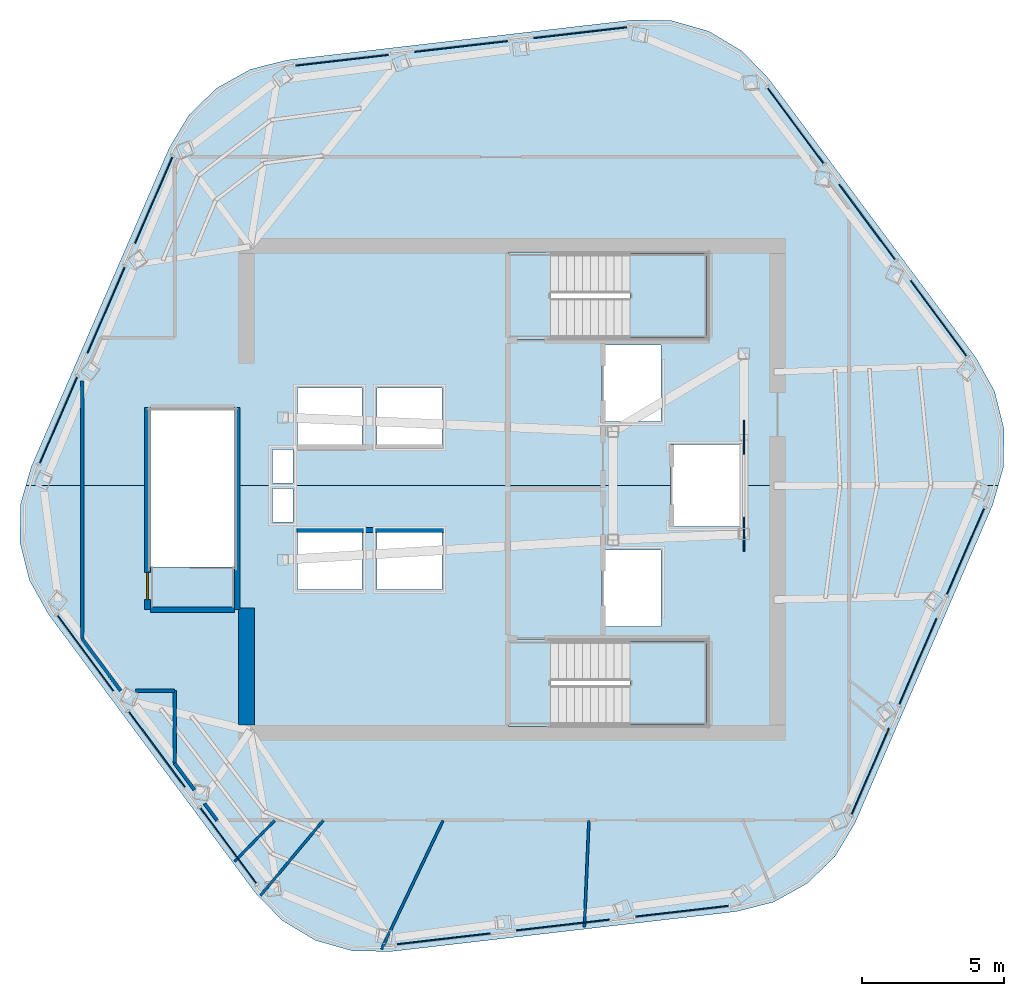
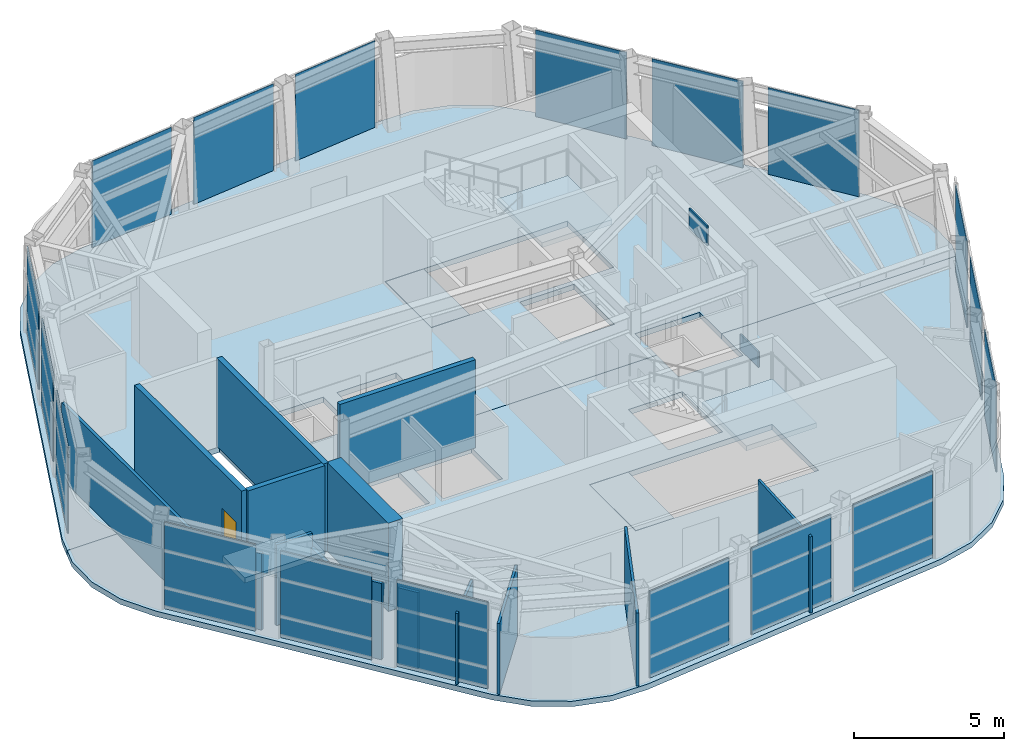
# One storey, part 5 of 11: 20 plates, 15 walls, 7 slabs, 1 door, 1 opening, 8 elements without a shape of their own.
"""IFC4 building model written with IfcOpenShell, lengths in metres."""

from ifc_helpers import new_model, si_unit, direction, frame, frame_2d, origin, origin_2d, place, context, subcontext, project, spatial, polyline, rectangle, outline, extrude, material, layer, layer_set, type_object, element, fill, aggregate, save


model = new_model("IFC4")

# Units and contexts
model_context = context("Model", 3, precision=1e-05, world=origin(), true_north=direction((0.0, 1.0)))
body_context = subcontext(model_context, "Body", "Model", "MODEL_VIEW")
ifc_project = project(units=[si_unit("LENGTHUNIT", "METRE"), si_unit("AREAUNIT", "SQUARE_METRE"), si_unit("VOLUMEUNIT", "CUBIC_METRE"), si_unit("PLANEANGLEUNIT", "RADIAN"), si_unit("MASSUNIT", "GRAM", prefix="KILO")], contexts=[model_context])

# Site, building, storey
site_placement = place(None, origin())
site = spatial("IfcSite", under=ifc_project, at=site_placement, CompositionType="ELEMENT")
building_placement = place(site_placement, origin())
building = spatial("IfcBuilding", under=site, at=building_placement, Name="Valkerne Bourse Tower", CompositionType="ELEMENT")
storey_placement = place(building_placement, frame((0.0, 0.0, 311.60009765625)))
storey = spatial("IfcBuildingStorey", under=building, at=storey_placement, Name="L79", CompositionType="ELEMENT", Elevation=311.60009765625)

# Curtain wall, plates
ifc_material_1 = material(Name="Aluminium AA 6063-T6", Category="aluminium")
ifc_layer_1 = layer(ifc_material_1, 0.25)
ifc_layer_set_1 = layer_set([ifc_layer_1], Name="Aluminium AA 6063-T6")
curtain_wall_type = type_object("IfcCurtainWallType", Name="CW-06", PredefinedType="NOTDEFINED", material=ifc_layer_set_1)
curtain_wall_1_placement = place(storey_placement, origin())
curtain_wall_1 = element("IfcCurtainWall", 1, at=curtain_wall_1_placement, inside=storey, type_object=curtain_wall_type, Name="L79 Hexagonal Stick Curtain Wall Face 1", PredefinedType="NOTDEFINED")
ifc_material_2 = material(Name="Bronze Anodised Aluminium AA 6063-T6", Category="aluminium")
ifc_layer_2 = layer(ifc_material_2, 0.0400390625)
ifc_layer_set_2 = layer_set([ifc_layer_2], Name="Bronze Anodised Aluminium AA 6063-T6")
plate_type_1 = type_object("IfcPlateType", Name="CW-PNL-LOUVRE-40", PredefinedType="CURTAIN_PANEL", material=ifc_layer_set_2)
plate_1_placement = place(storey_placement, frame((49.197998046875, 42.919921875, 0.02978515625), z_axis=(0.0, 0.0, 1.0), x_axis=(-0.993373223363, -0.114933194098, 0.0)))
plate_1 = element("IfcPlate", 2, at=plate_1_placement, type_object=plate_type_1, Name="CW-L79-F1 Curtain Panel 00", PredefinedType="CURTAIN_PANEL", context=body_context, shape_type="SweptSolid", body=[
    extrude(rectangle(XDim=3.2919921875, YDim=0.0400390625, at=origin_2d()), origin(), (0.0, 0.0, 1.0), 3.52001953125),
])
plate_2_placement = place(storey_placement, frame((45.013916015625, 42.435791015625, 0.02978515625), z_axis=(0.0, 0.0, 1.0), x_axis=(-0.993372909733, -0.114935904784, 0.0)))
plate_2 = element("IfcPlate", 3, at=plate_2_placement, type_object=plate_type_1, Name="CW-L79-F1 Curtain Panel 01", PredefinedType="CURTAIN_PANEL", context=body_context, shape_type="SweptSolid", body=[
    extrude(rectangle(XDim=3.2919921875, YDim=0.0400390625, at=origin_2d()), origin(), (0.0, 0.0, 1.0), 3.52001953125),
])
plate_3_placement = place(storey_placement, frame((40.829833984375, 41.95166015625, 0.02978515625), z_axis=(0.0, 0.0, 1.0), x_axis=(-0.993370512475, -0.114956622011, 0.0)))
plate_3 = element("IfcPlate", 4, at=plate_3_placement, type_object=plate_type_1, Name="CW-L79-F1 Curtain Panel 02", PredefinedType="CURTAIN_PANEL", context=body_context, shape_type="SweptSolid", body=[
    extrude(rectangle(XDim=3.2919921875, YDim=0.0400390625, at=origin_2d()), origin(), (0.0, 0.0, 1.0), 3.52001953125),
])
aggregate(curtain_wall_1, [plate_1, plate_2, plate_3])

curtain_wall_2_placement = place(storey_placement, origin())
curtain_wall_2 = element("IfcCurtainWall", 5, at=curtain_wall_2_placement, inside=storey, type_object=curtain_wall_type, Name="L79 Hexagonal Stick Curtain Wall Face 2", PredefinedType="NOTDEFINED")
plate_4_placement = place(storey_placement, frame((34.212158203125, 37.03662109375, 0.02978515625), z_axis=(0.0, 0.0, 1.0), x_axis=(-0.397148991364, -0.917754149355, 0.0)))
plate_4 = element("IfcPlate", 6, at=plate_4_placement, type_object=plate_type_1, Name="CW-L79-F2 Curtain Panel 00", PredefinedType="CURTAIN_PANEL", context=body_context, shape_type="SweptSolid", body=[
    extrude(rectangle(XDim=3.2919921875, YDim=0.0400390625, at=origin_2d()), origin(), (0.0, 0.0, 1.0), 3.52001953125),
])
plate_5_placement = place(storey_placement, frame((32.539306640625, 33.171142578125, 0.02978515625), z_axis=(0.0, 0.0, 1.0), x_axis=(-0.397157644996, -0.917750404533, 0.0)))
plate_5 = element("IfcPlate", 7, at=plate_5_placement, type_object=plate_type_1, Name="CW-L79-F2 Curtain Panel 01", PredefinedType="CURTAIN_PANEL", context=body_context, shape_type="SweptSolid", body=[
    extrude(rectangle(XDim=3.2919921875, YDim=0.0400390625, at=origin_2d()), origin(), (0.0, 0.0, 1.0), 3.52001953125),
])
plate_6_placement = place(storey_placement, frame((30.866455078125, 29.3056640625, 0.02978515625), z_axis=(0.0, 0.0, 1.0), x_axis=(-0.397148991364, -0.917754149355, 0.0)))
plate_6 = element("IfcPlate", 8, at=plate_6_placement, type_object=plate_type_1, Name="CW-L79-F2 Curtain Panel 02", PredefinedType="CURTAIN_PANEL", context=body_context, shape_type="SweptSolid", body=[
    extrude(rectangle(XDim=3.2919921875, YDim=0.0400390625, at=origin_2d()), origin(), (0.0, 0.0, 1.0), 3.52001953125),
])
aggregate(curtain_wall_2, [plate_4, plate_5, plate_6])

curtain_wall_3_placement = place(storey_placement, origin())
curtain_wall_3 = element("IfcCurtainWall", 9, at=curtain_wall_3_placement, inside=storey, type_object=curtain_wall_type, Name="L79 Hexagonal Stick Curtain Wall Face 3", PredefinedType="NOTDEFINED")
plate_7_placement = place(storey_placement, frame((31.81396484375, 21.116943359375, 0.02978515625), z_axis=(0.0, 0.0, 1.0), x_axis=(0.596232638895, -0.80281170913, 0.0)))
plate_7 = element("IfcPlate", 10, at=plate_7_placement, type_object=plate_type_1, Name="CW-L79-F3 Curtain Panel 00", PredefinedType="CURTAIN_PANEL", context=body_context, shape_type="SweptSolid", body=[
    extrude(rectangle(XDim=3.2919921875, YDim=0.0400390625, at=origin_2d()), origin(), (0.0, 0.0, 1.0), 3.52001953125),
])
plate_8_placement = place(storey_placement, frame((34.3251953125, 17.735595703125, 0.02978515625), z_axis=(0.0, 0.0, 1.0), x_axis=(0.59622127464, -0.802820149017, 0.0)))
plate_8 = element("IfcPlate", 11, at=plate_8_placement, type_object=plate_type_1, Name="CW-L79-F3 Curtain Panel 01", PredefinedType="CURTAIN_PANEL", context=body_context, shape_type="SweptSolid", body=[
    extrude(rectangle(XDim=3.2919921875, YDim=0.0400390625, at=origin_2d()), origin(), (0.0, 0.0, 1.0), 3.52001953125),
])
plate_9_placement = place(storey_placement, frame((36.83642578125, 14.35400390625, 0.02978515625), z_axis=(0.0, 0.0, 1.0), x_axis=(0.59622127464, -0.802820149017, 0.0)))
plate_9 = element("IfcPlate", 12, at=plate_9_placement, type_object=plate_type_1, Name="CW-L79-F3 Curtain Panel 02", PredefinedType="CURTAIN_PANEL", context=body_context, shape_type="SweptSolid", body=[
    extrude(rectangle(XDim=3.2919921875, YDim=0.0400390625, at=origin_2d()), origin(), (0.0, 0.0, 1.0), 3.52001953125),
])
aggregate(curtain_wall_3, [plate_7, plate_8, plate_9])

curtain_wall_4_placement = place(storey_placement, origin())
curtain_wall_4 = element("IfcCurtainWall", 13, at=curtain_wall_4_placement, inside=storey, type_object=curtain_wall_type, Name="L79 Hexagonal Stick Curtain Wall Face 4", PredefinedType="NOTDEFINED")
plate_10_placement = place(storey_placement, frame((44.40185546875, 11.080078125, 0.02978515625), z_axis=(0.0, 0.0, 1.0), x_axis=(0.993373223363, 0.114933194098, 0.0)))
plate_10 = element("IfcPlate", 14, at=plate_10_placement, type_object=plate_type_1, Name="CW-L79-F4 Curtain Panel 00", PredefinedType="CURTAIN_PANEL", context=body_context, shape_type="SweptSolid", body=[
    extrude(rectangle(XDim=3.2919921875, YDim=0.0400390625, at=origin_2d()), origin(), (0.0, 0.0, 1.0), 3.52001953125),
])
plate_11_placement = place(storey_placement, frame((48.5859375, 11.564208984375, 0.02978515625), z_axis=(0.0, 0.0, 1.0), x_axis=(0.993372909733, 0.114935904784, 0.0)))
plate_11 = element("IfcPlate", 15, at=plate_11_placement, type_object=plate_type_1, Name="CW-L79-F4 Curtain Panel 01", PredefinedType="CURTAIN_PANEL", context=body_context, shape_type="SweptSolid", body=[
    extrude(rectangle(XDim=3.2919921875, YDim=0.0400390625, at=origin_2d()), origin(), (0.0, 0.0, 1.0), 3.52001953125),
])
plate_12_placement = place(storey_placement, frame((52.77001953125, 12.04833984375, 0.02978515625), z_axis=(0.0, 0.0, 1.0), x_axis=(0.993370512475, 0.114956622011, 0.0)))
plate_12 = element("IfcPlate", 16, at=plate_12_placement, type_object=plate_type_1, Name="CW-L79-F4 Curtain Panel 02", PredefinedType="CURTAIN_PANEL", context=body_context, shape_type="SweptSolid", body=[
    extrude(rectangle(XDim=3.2919921875, YDim=0.0400390625, at=origin_2d()), origin(), (0.0, 0.0, 1.0), 3.52001953125),
])
aggregate(curtain_wall_4, [plate_10, plate_11, plate_12])

curtain_wall_5_placement = place(storey_placement, origin())
curtain_wall_5 = element("IfcCurtainWall", 17, at=curtain_wall_5_placement, inside=storey, type_object=curtain_wall_type, Name="L79 Hexagonal Stick Curtain Wall Face 5", PredefinedType="NOTDEFINED")
plate_13_placement = place(storey_placement, frame((59.387939453125, 16.96337890625, 0.02978515625), z_axis=(0.0, 0.0, 1.0), x_axis=(0.397148991364, 0.917754149355, 0.0)))
plate_13 = element("IfcPlate", 18, at=plate_13_placement, type_object=plate_type_1, Name="CW-L79-F5 Curtain Panel 00", PredefinedType="CURTAIN_PANEL", context=body_context, shape_type="SweptSolid", body=[
    extrude(rectangle(XDim=3.2919921875, YDim=0.0400390625, at=origin_2d()), origin(), (0.0, 0.0, 1.0), 3.52001953125),
])
plate_14_placement = place(storey_placement, frame((61.060791015625, 20.828857421875, 0.02978515625), z_axis=(0.0, 0.0, 1.0), x_axis=(0.397157644996, 0.917750404533, 0.0)))
plate_14 = element("IfcPlate", 19, at=plate_14_placement, type_object=plate_type_1, Name="CW-L79-F5 Curtain Panel 01", PredefinedType="CURTAIN_PANEL", context=body_context, shape_type="SweptSolid", body=[
    extrude(rectangle(XDim=3.2919921875, YDim=0.0400390625, at=origin_2d()), origin(), (0.0, 0.0, 1.0), 3.52001953125),
])
plate_15_placement = place(storey_placement, frame((62.7333984375, 24.6943359375, 0.02978515625), z_axis=(0.0, 0.0, 1.0), x_axis=(0.397148991364, 0.917754149355, 0.0)))
plate_15 = element("IfcPlate", 20, at=plate_15_placement, type_object=plate_type_1, Name="CW-L79-F5 Curtain Panel 02", PredefinedType="CURTAIN_PANEL", context=body_context, shape_type="SweptSolid", body=[
    extrude(rectangle(XDim=3.2919921875, YDim=0.0400390625, at=origin_2d()), origin(), (0.0, 0.0, 1.0), 3.52001953125),
])
aggregate(curtain_wall_5, [plate_13, plate_14, plate_15])

curtain_wall_6_placement = place(storey_placement, origin())
curtain_wall_6 = element("IfcCurtainWall", 21, at=curtain_wall_6_placement, inside=storey, type_object=curtain_wall_type, Name="L79 Hexagonal Stick Curtain Wall Face 6", PredefinedType="NOTDEFINED")
plate_16_placement = place(storey_placement, frame((61.7861328125, 32.883056640625, 0.02978515625), z_axis=(0.0, 0.0, 1.0), x_axis=(-0.596232638895, 0.80281170913, 0.0)))
plate_16 = element("IfcPlate", 22, at=plate_16_placement, type_object=plate_type_1, Name="CW-L79-F6 Curtain Panel 00", PredefinedType="CURTAIN_PANEL", context=body_context, shape_type="SweptSolid", body=[
    extrude(rectangle(XDim=3.2919921875, YDim=0.0400390625, at=origin_2d()), origin(), (0.0, 0.0, 1.0), 3.52001953125),
])
plate_17_placement = place(storey_placement, frame((59.27490234375, 36.264404296875, 0.02978515625), z_axis=(0.0, 0.0, 1.0), x_axis=(-0.59622127464, 0.802820149017, 0.0)))
plate_17 = element("IfcPlate", 23, at=plate_17_placement, type_object=plate_type_1, Name="CW-L79-F6 Curtain Panel 01", PredefinedType="CURTAIN_PANEL", context=body_context, shape_type="SweptSolid", body=[
    extrude(rectangle(XDim=3.2919921875, YDim=0.0400390625, at=origin_2d()), origin(), (0.0, 0.0, 1.0), 3.52001953125),
])
plate_18_placement = place(storey_placement, frame((56.763427734375, 39.64599609375, 0.02978515625), z_axis=(0.0, 0.0, 1.0), x_axis=(-0.59622127464, 0.802820149017, 0.0)))
plate_18 = element("IfcPlate", 24, at=plate_18_placement, type_object=plate_type_1, Name="CW-L79-F6 Curtain Panel 02", PredefinedType="CURTAIN_PANEL", context=body_context, shape_type="SweptSolid", body=[
    extrude(rectangle(XDim=3.2919921875, YDim=0.0400390625, at=origin_2d()), origin(), (0.0, 0.0, 1.0), 3.52001953125),
])
aggregate(curtain_wall_6, [plate_16, plate_17, plate_18])

# Plates
ifc_material_3 = material(Name="Steel ASTM A572 Grade 50", Category="steel")
ifc_layer_3 = layer(ifc_material_3, 0.06005859375)
ifc_layer_set_3 = layer_set([ifc_layer_3], Name="Steel ASTM A572 Grade 50")
plate_type_2 = type_object("IfcPlateType", Name="PLT-GUS-60", PredefinedType="SHEET", material=ifc_layer_set_3)
for number, where, z_axis, x_axis, name in (
    (25, (54.949951171875, 25.300048828125, -0.18017578125), (0.0, 0.0, 1.0), (0.0, 1.0, 0.0), "L79 Brace Node Gusset Plate PLT-GUS-END-L79-474"),
    (26, (54.949951171875, 28.699951171875, 2.87353515625), (0.0, 0.0, 1.0), (0.0, 1.0, 0.0), "L79 Brace Node Gusset Plate PLT-GUS-END-L79-475"),
):
    element("IfcPlate", number, at=place(storey_placement, frame(where, z_axis=z_axis, x_axis=x_axis)), inside=storey, type_object=plate_type_2, Name=name, PredefinedType="SHEET", context=body_context, shape_type="SweptSolid", body=[
        extrude(rectangle(XDim=1.199951171875, YDim=0.06005859375, at=origin_2d()), origin(), (0.0, 0.0, 1.0), 0.800048828125),
    ])

# Slabs
ifc_material_4 = material(Name="Concrete C40/50", Category="concrete")
ifc_layer_4 = layer(ifc_material_4, 0.219970703125)
ifc_layer_set_4 = layer_set([ifc_layer_4], Name="Concrete C40/50")
slab_type_1 = type_object("IfcSlabType", Name="SLB-CRN-220", PredefinedType="FLOOR", material=ifc_layer_set_4)
slab_1_placement = place(storey_placement, frame((0.0, 0.0, -0.22021484375)))
element("IfcSlab", 27, at=slab_1_placement, inside=storey, type_object=slab_type_1, Name="L79 Hexagonal Composite Floor Slab S", PredefinedType="FLOOR", context=body_context, shape_type="SweptSolid", body=[
    extrude(outline(polyline([(63.68701171875, 26.336669921875), (58.843505859375, 15.14404296875), (58.146484375, 13.979248046875), (57.171630859375, 13.034423828125), (55.985595703125, 12.37451171875), (54.6689453125, 12.043701171875), (42.55419921875, 10.641845703125), (41.197021484375, 10.663330078125), (39.891357421875, 11.03515625), (38.7265625, 11.732421875), (37.781982421875, 12.70703125), (30.510498046875, 22.497802734375), (29.850341796875, 23.68408203125), (29.519775390625, 25.00048828125), (29.541015625, 26.35791015625), (29.723876953125, 27.0), (34.034912109375, 27.0), (34.034912109375, 22.6650390625), (37.114990234375, 22.6650390625), (37.114990234375, 27.0), (52.360107421875, 27.0), (52.360107421875, 25.56005859375), (54.840087890625, 25.56005859375), (54.840087890625, 27.0), (63.876220703125, 27.0), (63.68701171875, 26.336669921875)]), holes=[polyline([(39.260009765625, 25.43994140625), (39.260009765625, 23.360107421875), (41.5400390625, 23.360107421875), (41.5400390625, 25.43994140625), (39.260009765625, 25.43994140625)]), polyline([(44.340087890625, 25.43994140625), (42.06005859375, 25.43994140625), (42.06005859375, 23.360107421875), (44.340087890625, 23.360107421875), (44.340087890625, 25.43994140625)]), polyline([(38.3798828125, 26.89990234375), (38.3798828125, 25.72998046875), (39.10009765625, 25.72998046875), (39.10009765625, 26.89990234375), (38.3798828125, 26.89990234375)]), polyline([(46.6650390625, 21.614990234375), (46.6650390625, 18.534912109375), (53.675048828125, 18.534912109375), (53.675048828125, 21.614990234375), (46.6650390625, 21.614990234375)]), polyline([(52.0400390625, 24.739990234375), (49.9599609375, 24.739990234375), (49.9599609375, 22.06005859375), (52.0400390625, 22.06005859375), (52.0400390625, 24.739990234375)])]), origin(), (0.0, 0.0, 1.0), 0.22021484375),
])
slab_2_placement = place(storey_placement, frame((0.0, 0.0, -0.22021484375)))
element("IfcSlab", 28, at=slab_2_placement, inside=storey, type_object=slab_type_1, Name="L79 Hexagonal Composite Floor Slab N", PredefinedType="FLOOR", context=body_context, shape_type="SweptSolid", body=[
    extrude(outline(polyline([(63.74951171875, 30.31591796875), (64.080322265625, 28.99951171875), (64.05908203125, 27.64208984375), (63.876220703125, 27.0), (54.840087890625, 27.0), (54.840087890625, 28.43994140625), (52.360107421875, 28.43994140625), (52.360107421875, 27.0), (37.114990234375, 27.0), (37.114990234375, 29.675048828125), (34.034912109375, 29.675048828125), (34.034912109375, 27.0), (29.723876953125, 27.0), (29.912841796875, 27.663330078125), (34.75634765625, 38.85595703125), (35.45361328125, 40.020751953125), (36.42822265625, 40.965576171875), (37.614501953125, 41.62548828125), (38.930908203125, 41.956298828125), (51.0458984375, 43.358154296875), (52.403076171875, 43.336669921875), (53.70849609375, 42.96484375), (54.873291015625, 42.267578125), (55.818115234375, 41.29296875), (63.08935546875, 31.502197265625), (63.74951171875, 30.31591796875)]), holes=[polyline([(39.10009765625, 28.27001953125), (38.3798828125, 28.27001953125), (38.3798828125, 27.10009765625), (39.10009765625, 27.10009765625), (39.10009765625, 28.27001953125)]), polyline([(41.5400390625, 30.43994140625), (39.260009765625, 30.43994140625), (39.260009765625, 28.360107421875), (41.5400390625, 28.360107421875), (41.5400390625, 30.43994140625)]), polyline([(42.06005859375, 30.43994140625), (42.06005859375, 28.360107421875), (44.340087890625, 28.360107421875), (44.340087890625, 30.43994140625), (42.06005859375, 30.43994140625)]), polyline([(52.0400390625, 31.93994140625), (49.9599609375, 31.93994140625), (49.9599609375, 29.260009765625), (52.0400390625, 29.260009765625), (52.0400390625, 31.93994140625)]), polyline([(53.675048828125, 35.215087890625), (46.6650390625, 35.215087890625), (46.6650390625, 32.135009765625), (53.675048828125, 32.135009765625), (53.675048828125, 35.215087890625)])]), origin(), (0.0, 0.0, 1.0), 0.22021484375),
])
ifc_layer_5 = layer(ifc_material_4, 0.25)
ifc_layer_set_5 = layer_set([ifc_layer_5], Name="Concrete C40/50")
slab_type_2 = type_object("IfcSlabType", Name="SLB-RMP-LND-250", PredefinedType="LANDING", material=ifc_layer_set_5)
slab_3_placement = place(storey_placement, frame((0.0, 0.0, -0.22021484375)))
element("IfcSlab", 29, at=slab_3_placement, inside=storey, type_object=slab_type_2, Name="L79 ST-1 Floor Landing Slab", PredefinedType="LANDING", context=body_context, shape_type="SweptSolid", body=[
    extrude(outline(polyline([(46.669921875, 18.5400390625), (48.14990234375, 18.5400390625), (48.14990234375, 21.610107421875), (46.669921875, 21.610107421875), (46.669921875, 18.5400390625)])), origin(), (0.0, 0.0, 1.0), 0.22021484375),
])
slab_4_placement = place(storey_placement, frame((0.0, 0.0, -0.22021484375)))
element("IfcSlab", 30, at=slab_4_placement, inside=storey, type_object=slab_type_2, Name="L79 ST-2 Floor Landing Slab", PredefinedType="LANDING", context=body_context, shape_type="SweptSolid", body=[
    extrude(outline(polyline([(46.669921875, 32.139892578125), (48.14990234375, 32.139892578125), (48.14990234375, 35.2099609375), (46.669921875, 35.2099609375), (46.669921875, 32.139892578125)])), origin(), (0.0, 0.0, 1.0), 0.22021484375),
])
slab_5_placement = place(storey_placement, frame((0.0, 0.0, -0.22021484375)))
element("IfcSlab", 31, at=slab_5_placement, inside=storey, type_object=slab_type_2, Name="L79 ST-3 Floor Landing Slab", PredefinedType="LANDING", context=body_context, shape_type="SweptSolid", body=[
    extrude(outline(polyline([(37.110107421875, 22.669921875), (37.110107421875, 24.14990234375), (34.0400390625, 24.14990234375), (34.0400390625, 22.669921875), (37.110107421875, 22.669921875)])), origin(), (0.0, 0.0, 1.0), 0.22021484375),
])

# Stair, slab
stair_type = type_object("IfcStairType", Name="ST-CORE-1400", PredefinedType="HALF_TURN_STAIR", material=ifc_material_4)
stair_1_placement = place(storey_placement, origin())
stair_1 = element("IfcStair", 32, at=stair_1_placement, inside=storey, type_object=stair_type, Name="L79 ST-1", PredefinedType="HALF_TURN_STAIR")
ifc_layer_6 = layer(ifc_material_4, 0.179931640625)
ifc_layer_set_6 = layer_set([ifc_layer_6], Name="Concrete C40/50")
slab_type_3 = type_object("IfcSlabType", Name="SLB-ST-LND-180", PredefinedType="LANDING", material=ifc_layer_set_6)
slab_6_placement = place(storey_placement, frame((0.0, 0.0, 1.699951171875)))
slab_6 = element("IfcSlab", 33, at=slab_6_placement, type_object=slab_type_3, Name="ST-1 landing 1", PredefinedType="LANDING", context=body_context, shape_type="SweptSolid", body=[
    extrude(outline(polyline([(50.949951171875, 18.60009765625), (53.64990234375, 18.60009765625), (53.64990234375, 21.550048828125), (50.949951171875, 21.550048828125), (50.949951171875, 18.60009765625)])), origin(), (0.0, 0.0, 1.0), 0.199951171875),
])
aggregate(stair_1, [slab_6])

stair_2_placement = place(storey_placement, origin())
stair_2 = element("IfcStair", 34, at=stair_2_placement, inside=storey, type_object=stair_type, Name="L79 ST-2", PredefinedType="HALF_TURN_STAIR")
slab_7_placement = place(storey_placement, frame((0.0, 0.0, 1.699951171875)))
slab_7 = element("IfcSlab", 35, at=slab_7_placement, type_object=slab_type_3, Name="ST-2 landing 1", PredefinedType="LANDING", context=body_context, shape_type="SweptSolid", body=[
    extrude(outline(polyline([(50.949951171875, 32.199951171875), (53.64990234375, 32.199951171875), (53.64990234375, 35.14990234375), (50.949951171875, 35.14990234375), (50.949951171875, 32.199951171875)])), origin(), (0.0, 0.0, 1.0), 0.199951171875),
])
aggregate(stair_2, [slab_7])

# Walls
ifc_material_5 = material(Name="Concrete C55/67", Category="concrete")
ifc_layer_7 = layer(ifc_material_5, 0.550048828125)
ifc_layer_set_7 = layer_set([ifc_layer_7], Name="Concrete C55/67")
wall_type_1 = type_object("IfcWallType", Name="W-CORE-550", PredefinedType="SHEAR", material=ifc_layer_set_7)
wall_1_placement = place(storey_placement, frame((37.47509765625, 18.60009765625, 0.0), z_axis=(0.0, 0.0, 1.0), x_axis=(0.0, 1.0, 0.0)))
element("IfcWall", 36, at=wall_1_placement, inside=storey, type_object=wall_type_1, Name="L79 Core Shear Wall WEST-S", PredefinedType="SHEAR", context=body_context, shape_type="SweptSolid", body=[
    extrude(rectangle(XDim=4.099853515625, YDim=0.550048828125, at=frame_2d((2.0498046875, 0.0))), origin(), (0.0, 0.0, 1.0), 3.579833984375),
])
ifc_material_6 = material(Name="Gypsum Board Steel-Stud Partition", Category="steel")
ifc_layer_8 = layer(ifc_material_6, 0.117919921875)
ifc_layer_set_8 = layer_set([ifc_layer_8], Name="Gypsum Board Steel-Stud Partition")
wall_type_2 = type_object("IfcWallType", Name="W-CORR-140", PredefinedType="PARTITIONING", material=ifc_layer_set_8)
wall_2_placement = place(storey_placement, frame((36.44140625, 15.25, 0.0), z_axis=(0.0, 0.0, 1.0), x_axis=(-0.596256424057, 0.802794043806, 0.0)))
element("IfcWall", 37, at=wall_2_placement, inside=storey, type_object=wall_type_2, Name="L79 Corridor Enclosure Wall", PredefinedType="PARTITIONING", context=body_context, shape_type="SweptSolid", body=[
    extrude(rectangle(XDim=0.731689453125, YDim=0.117919921875, at=frame_2d((0.36572265625, 0.0))), origin(), (0.0, 0.0, 1.0), 3.094970703125),
])
wall_3_placement = place(storey_placement, frame((35.6474609375, 16.319091796875, 0.0), z_axis=(0.0, 0.0, 1.0), x_axis=(-0.596220256374, 0.80282090524, 0.0)))
element("IfcWall", 38, at=wall_3_placement, inside=storey, type_object=wall_type_2, Name="L79 Corridor Enclosure Wall", PredefinedType="PARTITIONING", context=body_context, shape_type="SweptSolid", body=[
    extrude(rectangle(XDim=1.169921875, YDim=0.117919921875, at=frame_2d((0.5849609375, 0.0))), origin(), (0.0, 0.0, 1.0), 3.094970703125),
])
wall_4_placement = place(storey_placement, frame((34.949951171875, 17.25830078125, 0.0), z_axis=(0.0, 0.0, 1.0), x_axis=(0.0, 1.0, 0.0)))
element("IfcWall", 39, at=wall_4_placement, inside=storey, type_object=wall_type_2, Name="L79 Corridor Enclosure Wall", PredefinedType="PARTITIONING", context=body_context, shape_type="SweptSolid", body=[
    extrude(rectangle(XDim=2.541748046875, YDim=0.117919921875, at=frame_2d((1.27099609375, 0.0))), origin(), (0.0, 0.0, 1.0), 2.711181640625),
])
wall_5_placement = place(storey_placement, frame((34.949951171875, 19.800048828125, 0.0), z_axis=(0.0, 0.0, 1.0), x_axis=(-1.0, 0.0, 0.0)))
element("IfcWall", 40, at=wall_5_placement, inside=storey, type_object=wall_type_2, Name="L79 Corridor Enclosure Wall", PredefinedType="PARTITIONING", context=body_context, shape_type="SweptSolid", body=[
    extrude(rectangle(XDim=1.38037109375, YDim=0.117919921875, at=frame_2d((0.690185546875, 0.0))), origin(), (0.0, 0.0, 1.0), 3.27978515625),
])
wall_6_placement = place(storey_placement, frame((33.062255859375, 19.800048828125, 0.0), z_axis=(0.0, 0.0, 1.0), x_axis=(-0.596249239807, 0.80279937969, 0.0)))
element("IfcWall", 41, at=wall_6_placement, inside=storey, type_object=wall_type_2, Name="L79 Corridor Enclosure Wall", PredefinedType="PARTITIONING", context=body_context, shape_type="SweptSolid", body=[
    extrude(rectangle(XDim=2.284912109375, YDim=0.117919921875, at=frame_2d((1.142578125, 0.0))), origin(), (0.0, 0.0, 1.0), 3.094970703125),
])
wall_7_placement = place(storey_placement, frame((31.699951171875, 21.63427734375, 0.0), z_axis=(0.0, 0.0, 1.0), x_axis=(0.0, 1.0, 0.0)))
element("IfcWall", 42, at=wall_7_placement, inside=storey, type_object=wall_type_2, Name="L79 Corridor Enclosure Wall", PredefinedType="PARTITIONING", context=body_context, shape_type="SweptSolid", body=[
    extrude(rectangle(XDim=9.051025390625, YDim=0.117919921875, at=frame_2d((4.525390625, 0.0))), origin(), (0.0, 0.0, 1.0), 3.094970703125),
])
ifc_material_7 = material(Name="CMU Blockwork Masonry 200mm", Category="masonry")
ifc_layer_9 = layer(ifc_material_7, 0.179931640625)
ifc_layer_set_9 = layer_set([ifc_layer_9], Name="CMU Blockwork Masonry 200mm")
wall_type_3 = type_object("IfcWallType", Name="W-LFT-180", PredefinedType="SOLIDWALL", material=ifc_layer_set_9)
wall_8_placement = place(storey_placement, frame((39.25, 25.449951171875, 0.0), z_axis=(0.0, 0.0, 1.0), x_axis=(1.0, 0.0, 0.0)))
element("IfcWall", 43, at=wall_8_placement, inside=storey, type_object=wall_type_3, Name="L79 High-Zone South Cars Front Wall", PredefinedType="SOLIDWALL", context=body_context, shape_type="SweptSolid", body=[
    extrude(rectangle(XDim=5.199951171875, YDim=0.179931640625, at=frame_2d((2.60009765625, 0.0))), origin(), (0.0, 0.0, 1.0), 3.579833984375),
])
ifc_layer_10 = layer(ifc_material_6, 0.092041015625)
ifc_layer_set_10 = layer_set([ifc_layer_10], Name="Gypsum Board Steel-Stud Partition")
wall_type_4 = type_object("IfcWallType", Name="W-PART-115", PredefinedType="PARTITIONING", material=ifc_layer_set_10)
wall_9_placement = place(storey_placement, frame((44.3798828125, 15.2451171875, 0.0), z_axis=(0.0, 0.0, 1.0), x_axis=(-0.431343608309, -0.902187725239, 0.0)))
element("IfcWall", 44, at=wall_9_placement, inside=storey, type_object=wall_type_4, Name="L79 Suite Partition P03", PredefinedType="PARTITIONING", context=body_context, shape_type="SweptSolid", body=[
    extrude(rectangle(XDim=5.018798828125, YDim=0.092041015625, at=frame_2d((2.50927734375, 0.0))), origin(), (0.0, 0.0, 1.0), 2.962890625),
])
wall_10_placement = place(storey_placement, frame((38.46923828125, 15.2451171875, 0.0), z_axis=(0.0, 0.0, 1.0), x_axis=(-0.700244211572, -0.713903385732, 0.0)))
element("IfcWall", 45, at=wall_10_placement, inside=storey, type_object=wall_type_4, Name="L79 Suite Partition P04", PredefinedType="PARTITIONING", context=body_context, shape_type="SweptSolid", body=[
    extrude(rectangle(XDim=2.019775390625, YDim=0.092041015625, at=frame_2d((1.009765625, 0.0))), origin(), (0.0, 0.0, 1.0), 2.87646484375),
])
wall_11_placement = place(storey_placement, frame((40.172119140625, 15.2451171875, 0.0), z_axis=(0.0, 0.0, 1.0), x_axis=(-0.641408282153, -0.7671997234, 0.0)))
element("IfcWall", 46, at=wall_11_placement, inside=storey, type_object=wall_type_4, Name="L79 Suite Partition P05", PredefinedType="PARTITIONING", context=body_context, shape_type="SweptSolid", body=[
    extrude(rectangle(XDim=3.431396484375, YDim=0.092041015625, at=frame_2d((1.7158203125, 0.0))), origin(), (0.0, 0.0, 1.0), 2.87646484375),
])
wall_12_placement = place(storey_placement, frame((49.500732421875, 15.2451171875, 0.0), z_axis=(0.0, 0.0, 1.0), x_axis=(-0.042375089835, -0.999101772474, 0.0)))
element("IfcWall", 47, at=wall_12_placement, inside=storey, type_object=wall_type_4, Name="L79 Suite Partition P06", PredefinedType="PARTITIONING", context=body_context, shape_type="SweptSolid", body=[
    extrude(rectangle(XDim=3.750732421875, YDim=0.092041015625, at=frame_2d((1.87548828125, 0.0))), origin(), (0.0, 0.0, 1.0), 3.094970703125),
])

# Wall, opening, door
ifc_layer_11 = layer(ifc_material_4, 0.199951171875)
ifc_layer_set_11 = layer_set([ifc_layer_11], Name="Concrete C40/50")
wall_type_5 = type_object("IfcWallType", Name="W-SHF-200", PredefinedType="SHEAR", material=ifc_layer_set_11)
wall_13_placement = place(storey_placement, frame((34.0, 22.64990234375, 0.0), z_axis=(0.0, 0.0, 1.0), x_axis=(0.0, 1.0, 0.0)))
wall_13 = element("IfcWall", 48, at=wall_13_placement, inside=storey, type_object=wall_type_5, Name="L79 Exit Stair ST-3 Structural Shaft Wall West", PredefinedType="SHEAR", context=body_context, shape_type="SweptSolid", body=[
    extrude(rectangle(XDim=7.10009765625, YDim=0.199951171875, at=frame_2d((3.550048828125, 0.0))), origin(), (0.0, 0.0, 1.0), 3.579833984375),
])
opening_placement = place(wall_13_placement, frame((0.35009765625, 0.0, 0.0)))
opening = element("IfcOpeningElement", 49, at=opening_placement, cuts=wall_13, Name="Opening D-ST-950", PredefinedType="OPENING", context=body_context, shape_type="SweptSolid", body=[
    extrude(rectangle(XDim=0.949951171875, YDim=2.10009765625, at=frame_2d((0.47509765625, 1.050048828125))), frame((0.0, 0.10986328125, 0.0), z_axis=(0.0, -1.0, 0.0), x_axis=(1.0, 0.0, 0.0)), (0.0, 0.0, 1.0), 0.219970703125),
])
ifc_material_8 = material(Name="Galvanised Painted Steel", Category="steel")
door_type = type_object("IfcDoorType", Name="DR-STAIR-950", OperationType="NOTDEFINED", PredefinedType="DOOR", material=ifc_material_8)
door_placement = place(opening_placement, origin())
door = element("IfcDoor", 50, at=door_placement, inside=storey, type_object=door_type, Name="L79 Exit Stair ST-3 Door", OperationType="SINGLE_SWING_RIGHT", OverallHeight=2.10009765625, OverallWidth=0.949951171875, PredefinedType="DOOR", context=body_context, shape_type="SweptSolid", body=[
    extrude(rectangle(XDim=0.949951171875, YDim=2.10009765625, at=frame_2d((0.47509765625, 1.050048828125))), frame((0.0, 0.02490234375, 0.0), z_axis=(0.0, -1.0, 0.0), x_axis=(1.0, 0.0, 0.0)), (0.0, 0.0, 1.0), 0.050048828125),
])
fill(opening, door)

# Walls
wall_14_placement = place(storey_placement, frame((34.10009765625, 22.64990234375, 0.0), z_axis=(0.0, 0.0, 1.0), x_axis=(1.0, 0.0, 0.0)))
element("IfcWall", 51, at=wall_14_placement, inside=storey, type_object=wall_type_5, Name="L79 Exit Stair ST-3 Structural Shaft Wall South", PredefinedType="SHEAR", context=body_context, shape_type="SweptSolid", body=[
    extrude(rectangle(XDim=2.949951171875, YDim=0.199951171875, at=frame_2d((1.47509765625, 0.0))), origin(), (0.0, 0.0, 1.0), 3.579833984375),
])
wall_15_placement = place(storey_placement, frame((37.14990234375, 22.64990234375, 0.0), z_axis=(0.0, 0.0, 1.0), x_axis=(0.0, 1.0, 0.0)))
element("IfcWall", 52, at=wall_15_placement, inside=storey, type_object=wall_type_5, Name="L79 Exit Stair ST-3 Structural Shaft Wall East", PredefinedType="SHEAR", context=body_context, shape_type="SweptSolid", body=[
    extrude(rectangle(XDim=7.10009765625, YDim=0.199951171875, at=frame_2d((3.550048828125, 0.0))), origin(), (0.0, 0.0, 1.0), 3.579833984375),
])

save(model, "model.ifc")
